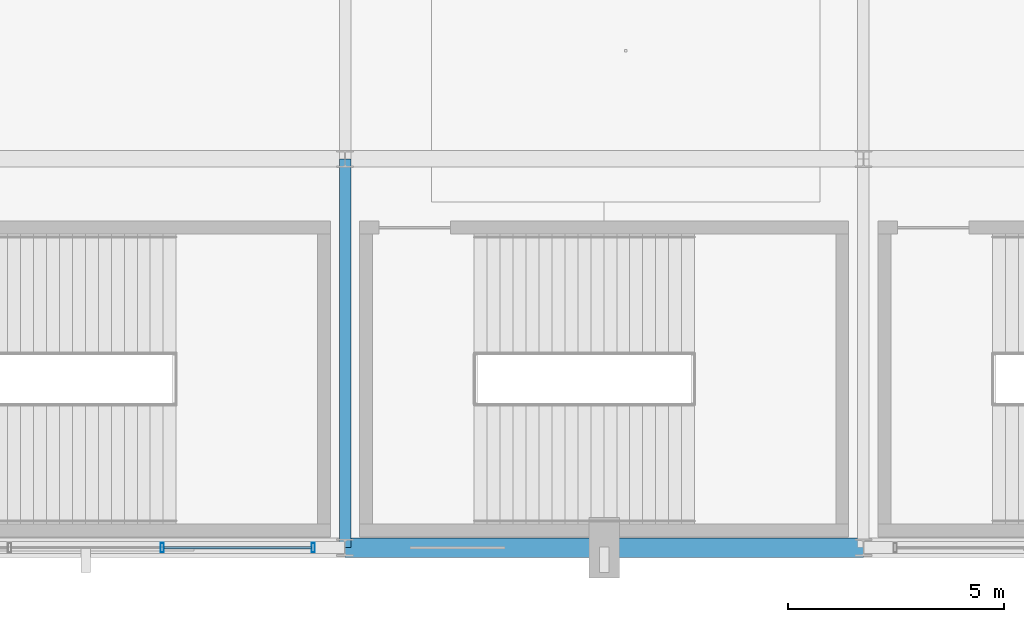
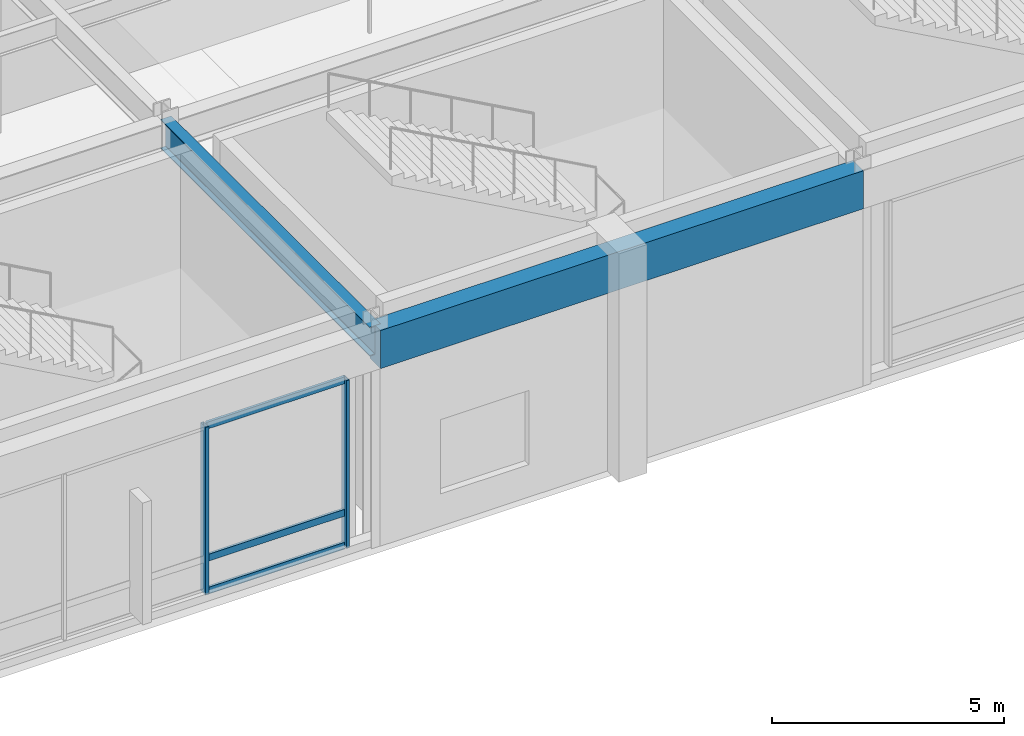
# One storey, part 20 of 105: 5 members, 2 beams, 1 element without a shape of its own.
"""IFC4 building model written with IfcOpenShell, lengths in metres."""

from ifc_helpers import new_model, si_unit, direction, frame, origin, origin_2d, place, context, subcontext, project, spatial, rectangle, hollow_rectangle, i_section, extrude, material, material_profile, profile_set, type_object, element, aggregate, save


model = new_model("IFC4")

# Units and contexts
model_context = context("Model", 3, precision=1e-05, world=origin(), true_north=direction((0.0, 1.0)))
body_context = subcontext(model_context, "Body", "Model", "MODEL_VIEW")
ifc_project = project(units=[si_unit("LENGTHUNIT", "METRE"), si_unit("AREAUNIT", "SQUARE_METRE"), si_unit("VOLUMEUNIT", "CUBIC_METRE"), si_unit("PLANEANGLEUNIT", "RADIAN"), si_unit("MASSUNIT", "GRAM", prefix="KILO")], contexts=[model_context])

# Site, building, storey
site_placement = place(None, origin())
site = spatial("IfcSite", under=ifc_project, at=site_placement, CompositionType="ELEMENT")
building_placement = place(site_placement, origin())
building = spatial("IfcBuilding", under=site, at=building_placement, Name="Kaldorvane Square Convention Centre", CompositionType="ELEMENT")
storey_placement = place(building_placement, frame((0.0, 0.0, 6.0)))
storey = spatial("IfcBuildingStorey", under=building, at=storey_placement, Name="L01", CompositionType="ELEMENT", Elevation=6.0)

# Beams
ifc_material_1 = material(Name="Steel ASTM A992 Gr. 50", Category="steel")
ifc_material_profile_1 = material_profile(ifc_material_1, i_section(OverallWidth=0.2666015625, OverallDepth=0.762298583984375, WebThickness=0.014404296875, FlangeThickness=0.0216064453125, FilletRadius=0.0164947509765625, at=origin_2d()), Name="W30X116")
ifc_profile_set_1 = profile_set([ifc_material_profile_1], Name="Steel ASTM A992 Gr. 50")
beam_type_1 = type_object("IfcBeamType", Name="BM-GR-W30X116", PredefinedType="BEAM", material=ifc_profile_set_1)
beam_1_placement = place(storey_placement, frame((54.0, 0.0, 5.2949066162109375), z_axis=(0.0, 1.0, 0.0), x_axis=(-1.0, 0.0, 0.0)))
element("IfcBeam", 1, at=beam_1_placement, inside=storey, type_object=beam_type_1, Name="Transverse Girder (L01)", PredefinedType="BEAM", context=body_context, shape_type="SweptSolid", body=[
    extrude(i_section(OverallWidth=0.2666015625, OverallDepth=0.762298583984375, WebThickness=0.014404296875, FlangeThickness=0.0216064453125, FilletRadius=0.0164947509765625, at=origin_2d()), origin(), (0.0, 0.0, 1.0), 9.0),
])
ifc_material_2 = material(Name="Concrete f'c = 42 MPa (Normalweight)", Category="concrete")
ifc_material_profile_2 = material_profile(ifc_material_2, rectangle(XDim=0.4499969482421875, YDim=1.0, at=origin_2d()), Name="RCSP1000X450")
ifc_profile_set_2 = profile_set([ifc_material_profile_2], Name="Concrete f'c = 42 MPa (Normalweight)")
beam_type_2 = type_object("IfcBeamType", Name="BM-SP-RC1000", PredefinedType="SPANDREL", material=ifc_profile_set_2)
beam_2_placement = place(storey_placement, frame((54.0, 0.0, 5.175994873046875), z_axis=(1.0, 0.0, 0.0), x_axis=(0.0, 1.0, 0.0)))
element("IfcBeam", 2, at=beam_2_placement, inside=storey, type_object=beam_type_2, Name="Perimeter Spandrel (L01)", PredefinedType="SPANDREL", context=body_context, shape_type="SweptSolid", body=[
    extrude(rectangle(XDim=0.4499969482421875, YDim=1.0, at=origin_2d()), origin(), (0.0, 0.0, 1.0), 12.0),
])

# Curtain wall, members
ifc_material_3 = material(Name="Anodized Aluminum and Low-E Insulated Glazing", Category="aluminium")
curtain_wall_type = type_object("IfcCurtainWallType", Name="CW-UNI-P60-12", PredefinedType="USERDEFINED", material=ifc_material_3)
curtain_wall_placement = place(storey_placement, origin())
curtain_wall = element("IfcCurtainWall", 3, at=curtain_wall_placement, inside=storey, type_object=curtain_wall_type, Name="Curtain Wall CW-01 (L01)", ObjectType="UNITISED GLAZING", PredefinedType="USERDEFINED")
ifc_material_profile_3 = material_profile(ifc_material_3, hollow_rectangle(XDim=0.0749969482421875, YDim=0.220001220703125, WallThickness=0.003997802734375, at=origin_2d()), Name="CWM-220X75")
ifc_profile_set_3 = profile_set([ifc_material_profile_3], Name="Anodized Aluminum and Low-E Insulated Glazing")
member_type_1 = type_object("IfcMemberType", Name="CW-MUL-220", PredefinedType="MULLION", material=ifc_profile_set_3)
member_1_placement = place(storey_placement, frame((49.76666259765625, 0.0, 0.149993896484375), z_axis=(0.0, 0.0, 1.0), x_axis=(1.0, 0.0, 0.0)))
member_1 = element("IfcMember", 4, at=member_1_placement, type_object=member_type_1, Name="CW-01 mullion 3", PredefinedType="MULLION", context=body_context, shape_type="SweptSolid", body=[
    extrude(hollow_rectangle(XDim=0.0749969482421875, YDim=0.220001220703125, WallThickness=0.003997802734375, at=origin_2d()), origin(), (0.0, 0.0, 1.0), 4.410003662109375),
])
member_2_placement = place(storey_placement, frame((53.26249694824219, 0.0, 0.149993896484375), z_axis=(0.0, 0.0, 1.0), x_axis=(1.0, 0.0, 0.0)))
member_2 = element("IfcMember", 5, at=member_2_placement, type_object=member_type_1, Name="CW-01 mullion 4", PredefinedType="MULLION", context=body_context, shape_type="SweptSolid", body=[
    extrude(hollow_rectangle(XDim=0.0749969482421875, YDim=0.220001220703125, WallThickness=0.003997802734375, at=origin_2d()), origin(), (0.0, 0.0, 1.0), 4.410003662109375),
])
ifc_material_profile_4 = material_profile(ifc_material_3, hollow_rectangle(XDim=0.06500244140625, YDim=0.17999267578125, WallThickness=0.0034942626953125, at=origin_2d()), Name="CWT-180X65")
ifc_profile_set_4 = profile_set([ifc_material_profile_4], Name="Anodized Aluminum and Low-E Insulated Glazing")
member_type_2 = type_object("IfcMemberType", Name="CW-TRN-180", PredefinedType="USERDEFINED", material=ifc_profile_set_4)
member_3_placement = place(storey_placement, frame((49.804168701171875, 0.0, 0.1824951171875), z_axis=(1.0, 0.0, 0.0), x_axis=(0.0, 1.0, 0.0)))
member_3 = element("IfcMember", 6, at=member_3_placement, type_object=member_type_2, Name="CW-01 transom 3.1", ObjectType="TRANSOM", PredefinedType="USERDEFINED", context=body_context, shape_type="SweptSolid", body=[
    extrude(hollow_rectangle(XDim=0.06500244140625, YDim=0.17999267578125, WallThickness=0.0034942626953125, at=origin_2d()), origin(), (0.0, 0.0, 1.0), 3.42083740234375),
])
member_4_placement = place(storey_placement, frame((49.804168701171875, 0.0, 1.0500030517578125), z_axis=(1.0, 0.0, 0.0), x_axis=(0.0, 1.0, 0.0)))
member_4 = element("IfcMember", 7, at=member_4_placement, type_object=member_type_2, Name="CW-01 transom 3.2", ObjectType="TRANSOM", PredefinedType="USERDEFINED", context=body_context, shape_type="SweptSolid", body=[
    extrude(hollow_rectangle(XDim=0.06500244140625, YDim=0.17999267578125, WallThickness=0.0034942626953125, at=origin_2d()), origin(), (0.0, 0.0, 1.0), 3.42083740234375),
])
member_5_placement = place(storey_placement, frame((49.804168701171875, 0.0, 4.527496337890625), z_axis=(1.0, 0.0, 0.0), x_axis=(0.0, 1.0, 0.0)))
member_5 = element("IfcMember", 8, at=member_5_placement, type_object=member_type_2, Name="CW-01 transom 3.3", ObjectType="TRANSOM", PredefinedType="USERDEFINED", context=body_context, shape_type="SweptSolid", body=[
    extrude(hollow_rectangle(XDim=0.06500244140625, YDim=0.17999267578125, WallThickness=0.0034942626953125, at=origin_2d()), origin(), (0.0, 0.0, 1.0), 3.42083740234375),
])
aggregate(curtain_wall, [member_1, member_2, member_3, member_4, member_5])

save(model, "model.ifc")
